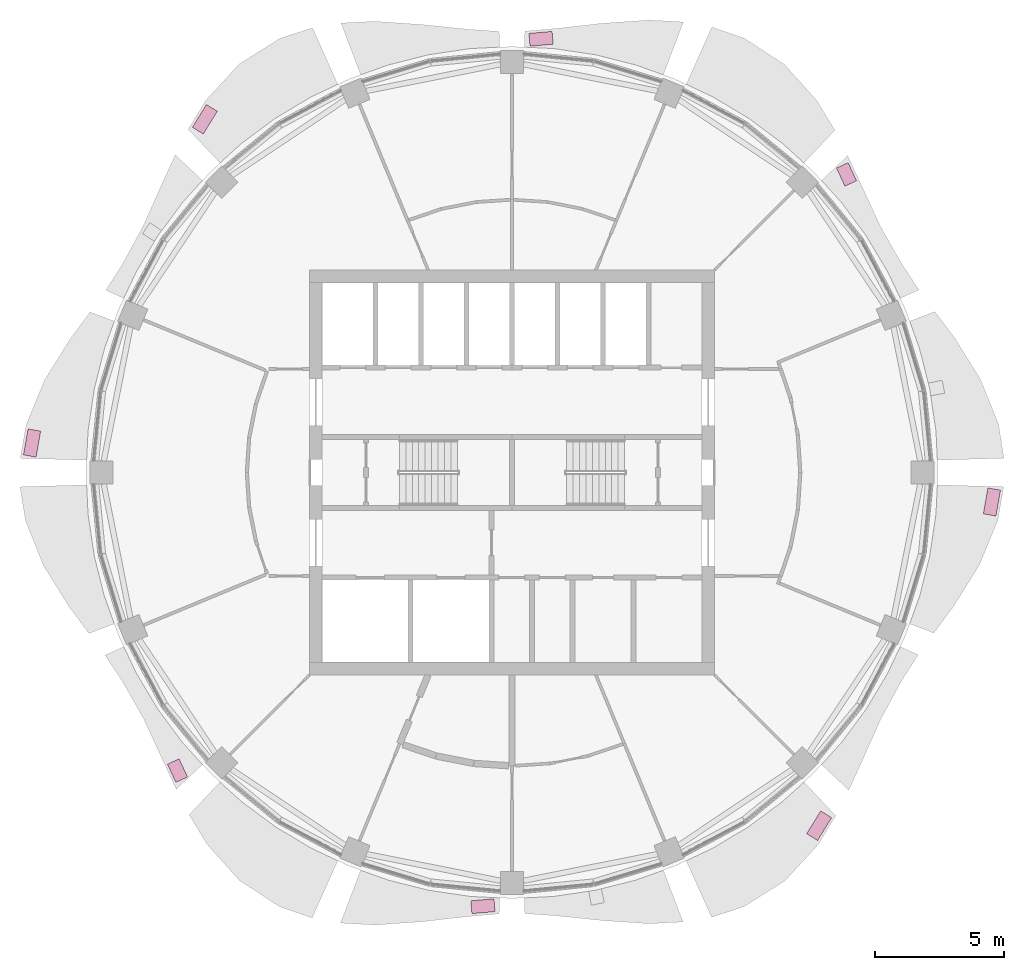
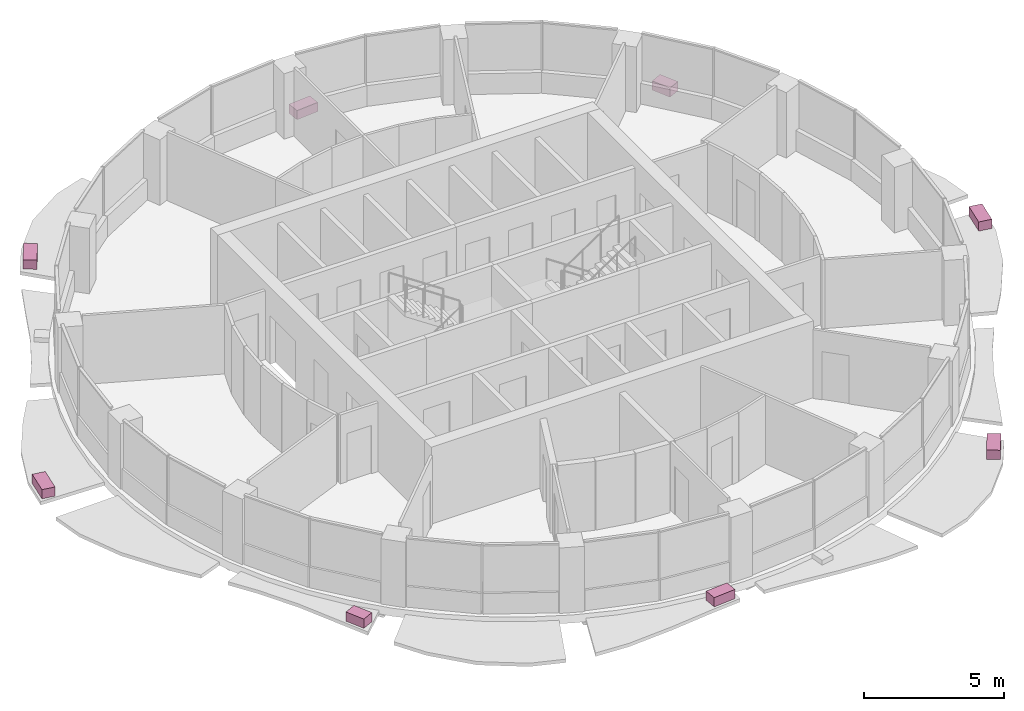
# One storey, part 15 of 15: 8 furniture elements.
"""IFC4 building model written with IfcOpenShell, lengths in metres."""

from ifc_helpers import new_model, si_unit, direction, frame, origin, origin_2d, place, context, subcontext, project, spatial, rectangle, extrude, material, type_object, element, save


model = new_model("IFC4")

# Units and contexts
model_context = context("Model", 3, precision=1e-05, world=origin(), true_north=direction((0.0, 1.0)))
body_context = subcontext(model_context, "Body", "Model", "MODEL_VIEW")
ifc_project = project(units=[si_unit("LENGTHUNIT", "METRE"), si_unit("AREAUNIT", "SQUARE_METRE"), si_unit("VOLUMEUNIT", "CUBIC_METRE"), si_unit("PLANEANGLEUNIT", "RADIAN"), si_unit("MASSUNIT", "GRAM", prefix="KILO")], contexts=[model_context])

# Site, building, storey
site_placement = place(None, origin())
site = spatial("IfcSite", under=ifc_project, at=site_placement, CompositionType="ELEMENT")
building_placement = place(site_placement, origin())
building = spatial("IfcBuilding", under=site, at=building_placement, Name="Polderwave Tower", CompositionType="ELEMENT")
storey_placement = place(building_placement, frame((0.0, 0.0, 211.10009765625)))
storey = spatial("IfcBuildingStorey", under=building, at=storey_placement, Name="L57", CompositionType="ELEMENT", Elevation=211.10009765625)

# Furniture
ifc_material = material(Name="Terracotta", Category="masonry")
furniture_type = type_object("IfcFurnitureType", Name="Terracotta planting trough", AssemblyPlace="NOTDEFINED", PredefinedType="USERDEFINED", material=ifc_material)
furniture_1_placement = place(storey_placement, frame((12.99609375, 11.580078125, -0.199951171875), z_axis=(0.0, 0.0, 1.0), x_axis=(-0.421949042905, 0.906619548207, 0.0)))
element("IfcFurniture", 1, at=furniture_1_placement, inside=storey, type_object=furniture_type, Name="Planting trough L57 2", ObjectType="PLANTER", PredefinedType="USERDEFINED", context=body_context, shape_type="SweptSolid", body=[
    extrude(rectangle(XDim=0.779296875, YDim=0.5, at=origin_2d()), origin(), (0.0, 0.0, 1.0), 0.39990234375),
])
furniture_2_placement = place(storey_placement, frame((1.128662109375, 16.849609375, -0.199951171875), z_axis=(0.0, 0.0, 1.0), x_axis=(-0.996270225893, -0.086288104618, 0.0)))
element("IfcFurniture", 2, at=furniture_2_placement, inside=storey, type_object=furniture_type, Name="Planting trough L57 4", ObjectType="PLANTER", PredefinedType="USERDEFINED", context=body_context, shape_type="SweptSolid", body=[
    extrude(rectangle(XDim=0.90576171875, YDim=0.5, at=origin_2d()), origin(), (0.0, 0.0, 1.0), 0.39990234375),
])
furniture_3_placement = place(storey_placement, frame((-11.93310546875, 13.722412109375, -0.199951171875), z_axis=(0.0, 0.0, 1.0), x_axis=(-0.522992538727, -0.852337259795, 0.0)))
element("IfcFurniture", 3, at=furniture_3_placement, inside=storey, type_object=furniture_type, Name="Planting trough L57 6", ObjectType="PLANTER", PredefinedType="USERDEFINED", context=body_context, shape_type="SweptSolid", body=[
    extrude(rectangle(XDim=1.04052734375, YDim=0.5, at=origin_2d()), origin(), (0.0, 0.0, 1.0), 0.39990234375),
])
furniture_4_placement = place(storey_placement, frame((-18.645263671875, 1.14599609375, -0.199951171875), z_axis=(0.0, 0.0, 1.0), x_axis=(-0.17390599378, -0.984762258277, 0.0)))
element("IfcFurniture", 4, at=furniture_4_placement, inside=storey, type_object=furniture_type, Name="Planting trough L57 8", ObjectType="PLANTER", PredefinedType="USERDEFINED", context=body_context, shape_type="SweptSolid", body=[
    extrude(rectangle(XDim=1.0244140625, YDim=0.5, at=origin_2d()), origin(), (0.0, 0.0, 1.0), 0.39990234375),
])
furniture_5_placement = place(storey_placement, frame((-12.99609375, -11.580078125, -0.199951171875), z_axis=(0.0, 0.0, 1.0), x_axis=(0.421949042905, -0.906619548207, 0.0)))
element("IfcFurniture", 5, at=furniture_5_placement, inside=storey, type_object=furniture_type, Name="Planting trough L57 10", ObjectType="PLANTER", PredefinedType="USERDEFINED", context=body_context, shape_type="SweptSolid", body=[
    extrude(rectangle(XDim=0.779296875, YDim=0.5, at=origin_2d()), origin(), (0.0, 0.0, 1.0), 0.39990234375),
])
furniture_6_placement = place(storey_placement, frame((-1.128662109375, -16.849609375, -0.199951171875), z_axis=(0.0, 0.0, 1.0), x_axis=(0.996270225893, 0.086288104618, 0.0)))
element("IfcFurniture", 6, at=furniture_6_placement, inside=storey, type_object=furniture_type, Name="Planting trough L57 12", ObjectType="PLANTER", PredefinedType="USERDEFINED", context=body_context, shape_type="SweptSolid", body=[
    extrude(rectangle(XDim=0.90576171875, YDim=0.5, at=origin_2d()), origin(), (0.0, 0.0, 1.0), 0.39990234375),
])
furniture_7_placement = place(storey_placement, frame((11.93310546875, -13.722412109375, -0.199951171875), z_axis=(0.0, 0.0, 1.0), x_axis=(0.522992538727, 0.852337259795, 0.0)))
element("IfcFurniture", 7, at=furniture_7_placement, inside=storey, type_object=furniture_type, Name="Planting trough L57 14", ObjectType="PLANTER", PredefinedType="USERDEFINED", context=body_context, shape_type="SweptSolid", body=[
    extrude(rectangle(XDim=1.04052734375, YDim=0.5, at=origin_2d()), origin(), (0.0, 0.0, 1.0), 0.39990234375),
])
furniture_8_placement = place(storey_placement, frame((18.645263671875, -1.14599609375, -0.199951171875), z_axis=(0.0, 0.0, 1.0), x_axis=(0.17390599378, 0.984762258277, 0.0)))
element("IfcFurniture", 8, at=furniture_8_placement, inside=storey, type_object=furniture_type, Name="Planting trough L57 16", ObjectType="PLANTER", PredefinedType="USERDEFINED", context=body_context, shape_type="SweptSolid", body=[
    extrude(rectangle(XDim=1.0244140625, YDim=0.5, at=origin_2d()), origin(), (0.0, 0.0, 1.0), 0.39990234375),
])

save(model, "model.ifc")
